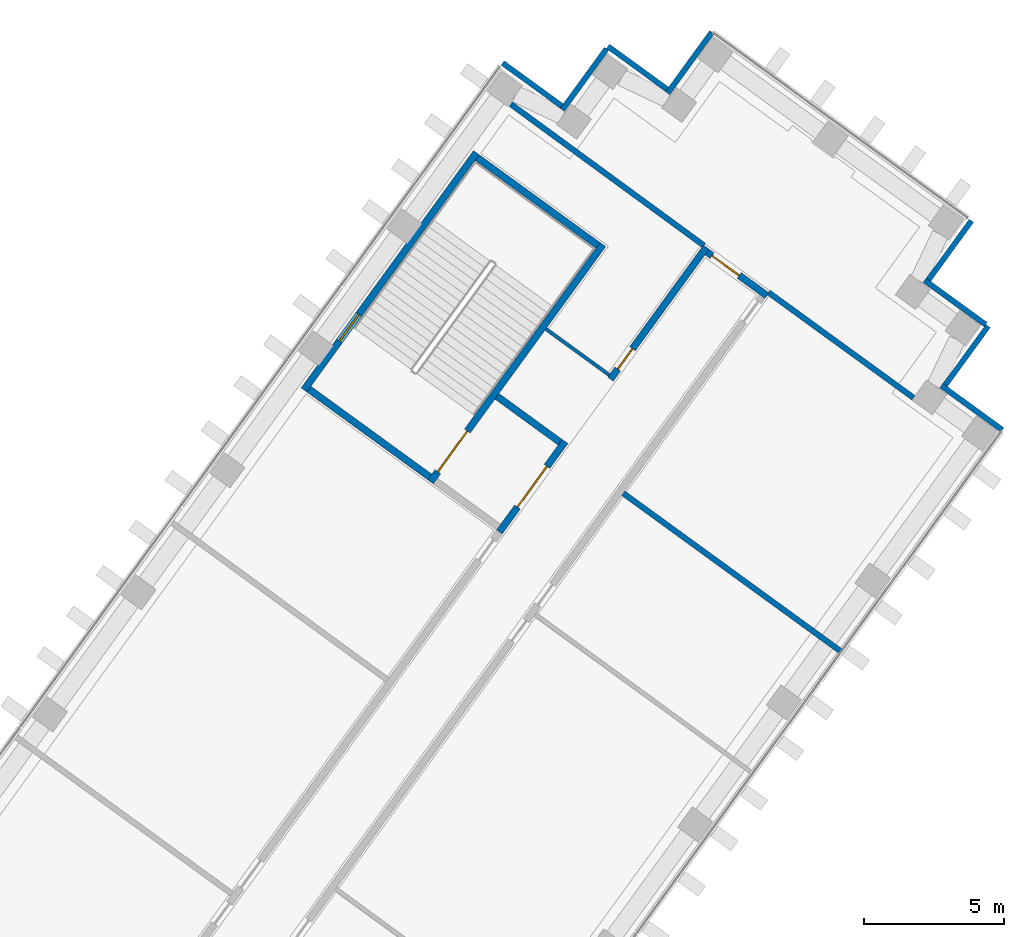
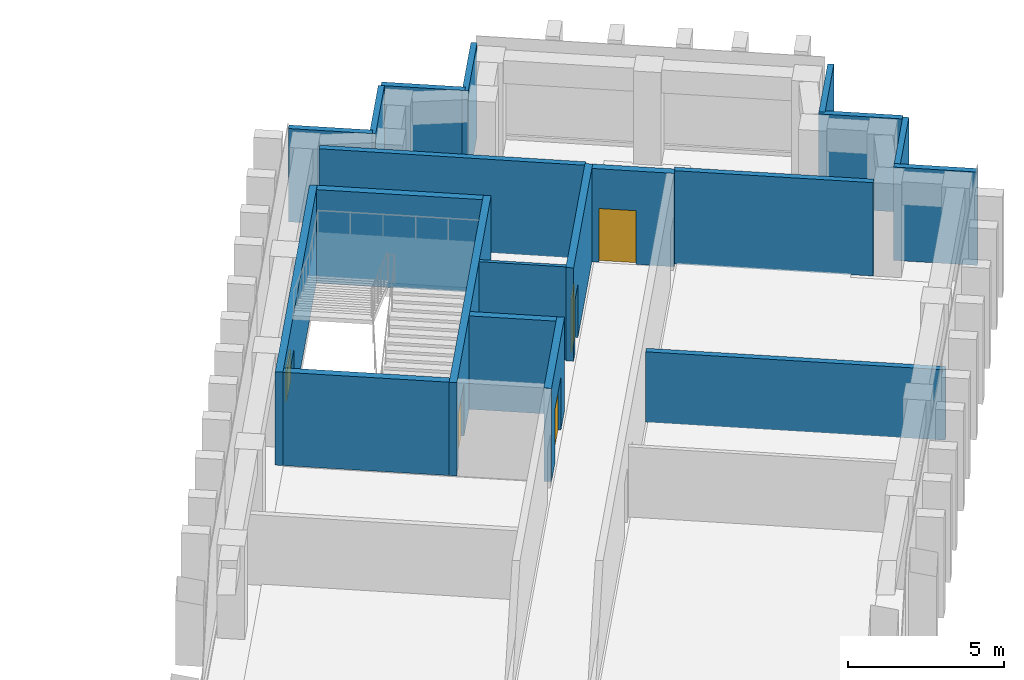
# One storey, part 12 of 16: 20 walls, 4 doors, 1 window, 5 openings.
"""IFC4 building model written with IfcOpenShell, lengths in metres."""

from ifc_helpers import new_model, si_unit, direction, frame, frame_2d, origin, place, context, subcontext, project, spatial, rectangle, extrude, material, layer, layer_set, type_object, element, fill, save


model = new_model("IFC4")

# Units and contexts
model_context = context("Model", 3, precision=1e-05, world=origin(), true_north=direction((0.0, 1.0)))
body_context = subcontext(model_context, "Body", "Model", "MODEL_VIEW")
ifc_project = project(units=[si_unit("LENGTHUNIT", "METRE"), si_unit("AREAUNIT", "SQUARE_METRE"), si_unit("VOLUMEUNIT", "CUBIC_METRE"), si_unit("PLANEANGLEUNIT", "RADIAN"), si_unit("MASSUNIT", "GRAM", prefix="KILO")], contexts=[model_context])

# Site, building, storey
site_placement = place(None, origin())
site = spatial("IfcSite", under=ifc_project, at=site_placement, CompositionType="ELEMENT")
building_placement = place(site_placement, origin())
building = spatial("IfcBuilding", under=site, at=building_placement, Name="Quipu Civic Tower", CompositionType="ELEMENT")
storey_placement = place(building_placement, frame((0.0, 0.0, 51.0)))
storey = spatial("IfcBuildingStorey", under=building, at=storey_placement, Name="L11", CompositionType="ELEMENT", Elevation=51.0)

# Walls
ifc_material_1 = material(Name="Fired clay blockwork", Category="masonry")
ifc_layer_1 = layer(ifc_material_1, 0.199951171875)
ifc_layer_set_1 = layer_set([ifc_layer_1], Name="Fired clay blockwork")
wall_type_1 = type_object("IfcWallType", Name="Blockwork wall 200", PredefinedType="SOLIDWALL", material=ifc_layer_set_1)
wall_1_placement = place(storey_placement, frame((37.643310546875, 41.296875, 0.0), z_axis=(0.0, 0.0, 1.0), x_axis=(0.806949857155, -0.590619952286, 0.0)))
element("IfcWall", 1, at=wall_1_placement, inside=storey, type_object=wall_type_1, Name="Partition P01", PredefinedType="SOLIDWALL", context=body_context, shape_type="SweptSolid", body=[
    extrude(rectangle(XDim=8.5703125, YDim=0.199951171875, at=frame_2d((4.28515625, 0.0))), origin(), (0.0, 0.0, 1.0), 3.64990234375),
])
wall_2_placement = place(storey_placement, frame((46.872802734375, 34.553955078125, 0.0), z_axis=(0.0, 0.0, 1.0), x_axis=(0.808992766665, -0.58781859743, 0.0)))
element("IfcWall", 2, at=wall_2_placement, inside=storey, type_object=wall_type_1, Name="Partition P02", PredefinedType="SOLIDWALL", context=body_context, shape_type="SweptSolid", body=[
    extrude(rectangle(XDim=6.414306640625, YDim=0.199951171875, at=frame_2d((3.20703125, 0.0))), origin(), (0.0, 0.0, 1.0), 3.64990234375),
])
wall_3_placement = place(storey_placement, frame((49.47998046875, 21.689697265625, 0.0), z_axis=(0.0, 0.0, 1.0), x_axis=(-0.808999631097, 0.587809150052, 0.0)))
element("IfcWall", 3, at=wall_3_placement, inside=storey, type_object=wall_type_1, Name="Partition P07", PredefinedType="SOLIDWALL", context=body_context, shape_type="SweptSolid", body=[
    extrude(rectangle(XDim=9.6513671875, YDim=0.199951171875, at=frame_2d((4.82568359375, 0.0))), origin(), (0.0, 0.0, 1.0), 2.75),
])

# Wall, opening, door
ifc_material_2 = material(Name="Concrete C70/85", Category="concrete")
ifc_layer_2 = layer(ifc_material_2, 0.25)
ifc_layer_set_2 = layer_set([ifc_layer_2], Name="Concrete C70/85")
wall_type_2 = type_object("IfcWallType", Name="Core wall 250", PredefinedType="SHEAR", material=ifc_layer_set_2)
wall_4_placement = place(storey_placement, frame((37.237548828125, 25.979736328125, 0.0), z_axis=(0.0, 0.0, 1.0), x_axis=(0.587772420479, 0.809026317077, 0.0)))
wall_4 = element("IfcWall", 4, at=wall_4_placement, inside=storey, type_object=wall_type_2, Name="Core wall", PredefinedType="SHEAR", context=body_context, shape_type="SweptSolid", body=[
    extrude(rectangle(XDim=4.0, YDim=0.25, at=frame_2d((2.0, 0.0))), origin(), (0.0, 0.0, 1.0), 3.64990234375),
])
opening_1_placement = place(wall_4_placement, frame((1.10009765625, 0.0, 0.0)))
opening_1 = element("IfcOpeningElement", 5, at=opening_1_placement, cuts=wall_4, Name="Opening CD-20", PredefinedType="OPENING", context=body_context, shape_type="SweptSolid", body=[
    extrude(rectangle(XDim=1.800048828125, YDim=2.10009765625, at=frame_2d((0.89990234375, 1.050048828125))), frame((0.0, 0.135009765625, 0.0), z_axis=(0.0, -1.0, 0.0), x_axis=(1.0, 0.0, 0.0)), (0.0, 0.0, 1.0), 0.27001953125),
])
ifc_material_3 = material(Name="Fire rated steel door", Category="steel")
door_type_1 = type_object("IfcDoorType", Name="Fire door FD90 double 1800 x 2100", OperationType="NOTDEFINED", PredefinedType="DOOR", material=ifc_material_3)
door_1_placement = place(opening_1_placement, origin())
door_1 = element("IfcDoor", 6, at=door_1_placement, inside=storey, type_object=door_type_1, Name="Lobby door", OperationType="DOUBLE_DOOR_SINGLE_SWING", OverallHeight=2.10009765625, OverallWidth=1.800048828125, PredefinedType="DOOR", context=body_context, shape_type="SweptSolid", body=[
    extrude(rectangle(XDim=1.800048828125, YDim=2.10009765625, at=frame_2d((0.89990234375, 1.050048828125))), frame((0.0, 0.02490234375, 0.0), z_axis=(0.0, -1.0, 0.0), x_axis=(1.0, 0.0, 0.0)), (0.0, 0.0, 1.0), 0.050048828125),
])
fill(opening_1, door_1)

# Wall
wall_5_placement = place(storey_placement, frame((39.4140625, 29.18798828125, 0.0), z_axis=(0.0, 0.0, 1.0), x_axis=(-0.808969789945, 0.58785021813, 0.0)))
element("IfcWall", 7, at=wall_5_placement, inside=storey, type_object=wall_type_2, Name="Core wall", PredefinedType="SHEAR", context=body_context, shape_type="SweptSolid", body=[
    extrude(rectangle(XDim=2.800048828125, YDim=0.25, at=frame_2d((1.39990234375, 0.0))), origin(), (0.0, 0.0, 1.0), 3.64990234375),
])

# Wall, opening, door
wall_6_placement = place(storey_placement, frame((34.77001953125, 27.7724609375, 0.0), z_axis=(0.0, 0.0, 1.0), x_axis=(0.587795589702, 0.809009483706, 0.0)))
wall_6 = element("IfcWall", 8, at=wall_6_placement, inside=storey, type_object=wall_type_2, Name="Core wall", PredefinedType="SHEAR", context=body_context, shape_type="SweptSolid", body=[
    extrude(rectangle(XDim=10.5, YDim=0.25, at=frame_2d((5.25, 0.0))), origin(), (0.0, 0.0, 1.0), 3.64990234375),
])
opening_2_placement = place(wall_6_placement, frame((0.449951171875, 0.0, 0.0)))
opening_2 = element("IfcOpeningElement", 9, at=opening_2_placement, cuts=wall_6, Name="Opening CD-21", PredefinedType="OPENING", context=body_context, shape_type="SweptSolid", body=[
    extrude(rectangle(XDim=1.800048828125, YDim=2.10009765625, at=frame_2d((0.89990234375, 1.050048828125))), frame((0.0, 0.135009765625, 0.0), z_axis=(0.0, -1.0, 0.0), x_axis=(1.0, 0.0, 0.0)), (0.0, 0.0, 1.0), 0.27001953125),
])
door_2_placement = place(opening_2_placement, origin())
door_2 = element("IfcDoor", 10, at=door_2_placement, inside=storey, type_object=door_type_1, Name="Door", OperationType="DOUBLE_DOOR_SINGLE_SWING", OverallHeight=2.10009765625, OverallWidth=1.800048828125, PredefinedType="DOOR", context=body_context, shape_type="SweptSolid", body=[
    extrude(rectangle(XDim=1.800048828125, YDim=2.10009765625, at=frame_2d((0.89990234375, 1.050048828125))), frame((0.0, 0.02490234375, 0.0), z_axis=(0.0, -1.0, 0.0), x_axis=(1.0, 0.0, 0.0)), (0.0, 0.0, 1.0), 0.050048828125),
])
fill(opening_2, door_2)

# Walls
wall_7_placement = place(storey_placement, frame((34.742431640625, 27.947021484375, 0.0), z_axis=(0.0, 0.0, 1.0), x_axis=(-0.8089984606, 0.587810760999, 0.0)))
element("IfcWall", 11, at=wall_7_placement, inside=storey, type_object=wall_type_2, Name="Core wall", PredefinedType="SHEAR", context=body_context, shape_type="SweptSolid", body=[
    extrude(rectangle(XDim=5.35009765625, YDim=0.25, at=frame_2d((2.675048828125, 0.0))), origin(), (0.0, 0.0, 1.0), 3.64990234375),
])
wall_8_placement = place(storey_placement, frame((40.76708984375, 36.239501953125, 0.0), z_axis=(0.0, 0.0, 1.0), x_axis=(-0.809020161303, 0.587780893365, 0.0)))
element("IfcWall", 12, at=wall_8_placement, inside=storey, type_object=wall_type_2, Name="Core wall", PredefinedType="SHEAR", context=body_context, shape_type="SweptSolid", body=[
    extrude(rectangle(XDim=5.349853515625, YDim=0.25, at=frame_2d((2.6748046875, 0.0))), origin(), (0.0, 0.0, 1.0), 3.64990234375),
])

# Wall, opening, window
wall_9_placement = place(storey_placement, frame((30.239501953125, 31.06396484375, 0.0), z_axis=(0.0, 0.0, 1.0), x_axis=(0.587795589702, 0.809009483706, 0.0)))
wall_9 = element("IfcWall", 13, at=wall_9_placement, inside=storey, type_object=wall_type_2, Name="Core wall", PredefinedType="SHEAR", context=body_context, shape_type="SweptSolid", body=[
    extrude(rectangle(XDim=10.5, YDim=0.25, at=frame_2d((5.25, 0.0))), origin(), (0.0, 0.0, 1.0), 3.64990234375),
])
opening_3_placement = place(wall_9_placement, frame((2.14990234375, 0.0, 1.0)))
opening_3 = element("IfcOpeningElement", 14, at=opening_3_placement, cuts=wall_9, Name="Opening SV-7", PredefinedType="OPENING", context=body_context, shape_type="SweptSolid", body=[
    extrude(rectangle(XDim=1.199951171875, YDim=1.199951171875, at=frame_2d((0.60009765625, 0.60009765625))), frame((0.0, 0.135009765625, 0.0), z_axis=(0.0, -1.0, 0.0), x_axis=(1.0, 0.0, 0.0)), (0.0, 0.0, 1.0), 0.27001953125),
])
ifc_material_4 = material(Name="Aluminium louvre", Category="aluminium")
window_type = type_object("IfcWindowType", Name="Stair ventilation louvre 1200 x 1200", PartitioningType="SINGLE_PANEL", PredefinedType="WINDOW", material=ifc_material_4)
window_placement = place(opening_3_placement, origin())
window = element("IfcWindow", 15, at=window_placement, inside=storey, type_object=window_type, Name="Stair ventilation opening", OverallHeight=1.199951171875, OverallWidth=1.199951171875, PartitioningType="SINGLE_PANEL", PredefinedType="WINDOW", context=body_context, shape_type="SweptSolid", body=[
    extrude(rectangle(XDim=1.199951171875, YDim=1.199951171875, at=frame_2d((0.60009765625, 0.60009765625))), frame((0.0, 0.030029296875, 0.0), z_axis=(0.0, -1.0, 0.0), x_axis=(1.0, 0.0, 0.0)), (0.0, 0.0, 1.0), 0.06005859375),
])
fill(opening_3, window)

# Wall, opening, door
ifc_material_5 = material(Name="Concrete C50/60", Category="concrete")
ifc_layer_3 = layer(ifc_material_5, 0.25)
ifc_layer_set_3 = layer_set([ifc_layer_3], Name="Concrete C50/60")
wall_type_3 = type_object("IfcWallType", Name="Corridor wall 250 concrete", PredefinedType="SOLIDWALL", material=ifc_layer_set_3)
wall_10_placement = place(storey_placement, frame((41.213134765625, 31.451416015625, 0.0), z_axis=(0.0, 0.0, 1.0), x_axis=(0.587783636081, 0.809018168619, 0.0)))
wall_10 = element("IfcWall", 16, at=wall_10_placement, inside=storey, type_object=wall_type_3, Name="Corridor wall C07", PredefinedType="SOLIDWALL", context=body_context, shape_type="SweptSolid", body=[
    extrude(rectangle(XDim=5.836669921875, YDim=0.25, at=frame_2d((2.91845703125, 0.0))), origin(), (0.0, 0.0, 1.0), 3.64990234375),
])
opening_4_placement = place(wall_10_placement, frame((0.44140625, 0.0, 0.0)))
opening_4 = element("IfcOpeningElement", 17, at=opening_4_placement, cuts=wall_10, Name="Opening D004", PredefinedType="OPENING", context=body_context, shape_type="SweptSolid", body=[
    extrude(rectangle(XDim=0.89990234375, YDim=2.10009765625, at=frame_2d((0.449951171875, 1.050048828125))), frame((0.0, 0.135009765625, 0.0), z_axis=(0.0, -1.0, 0.0), x_axis=(1.0, 0.0, 0.0)), (0.0, 0.0, 1.0), 0.27001953125),
])
ifc_material_6 = material(Name="Fire rated timber door set with metal frame", Category="wood")
door_type_2 = type_object("IfcDoorType", Name="Single door 900 x 2100 FD60", OperationType="NOTDEFINED", PredefinedType="DOOR", material=ifc_material_6)
door_3_placement = place(opening_4_placement, origin())
door_3 = element("IfcDoor", 18, at=door_3_placement, inside=storey, type_object=door_type_2, Name="Door D004", OperationType="SINGLE_SWING_LEFT", OverallHeight=2.10009765625, OverallWidth=0.89990234375, PredefinedType="DOOR", context=body_context, shape_type="SweptSolid", body=[
    extrude(rectangle(XDim=0.89990234375, YDim=2.10009765625, at=frame_2d((0.449951171875, 1.050048828125))), frame((0.0, 0.02490234375, 0.0), z_axis=(0.0, -1.0, 0.0), x_axis=(1.0, 0.0, 0.0)), (0.0, 0.0, 1.0), 0.050048828125),
])
fill(opening_4, door_3)

wall_11_placement = place(storey_placement, frame((44.67138671875, 35.998779296875, 0.0), z_axis=(0.0, 0.0, 1.0), x_axis=(0.809006914995, -0.587799125119, 0.0)))
wall_11 = element("IfcWall", 19, at=wall_11_placement, inside=storey, type_object=wall_type_3, Name="Corridor wall C08", PredefinedType="SOLIDWALL", context=body_context, shape_type="SweptSolid", body=[
    extrude(rectangle(XDim=2.64990234375, YDim=0.25, at=frame_2d((1.324951171875, 0.0))), origin(), (0.0, 0.0, 1.0), 3.64990234375),
])
opening_5_placement = place(wall_11_placement, frame((0.224853515625, 0.0, 0.0)))
opening_5 = element("IfcOpeningElement", 20, at=opening_5_placement, cuts=wall_11, Name="Opening D010", PredefinedType="OPENING", context=body_context, shape_type="SweptSolid", body=[
    extrude(rectangle(XDim=1.199951171875, YDim=2.10009765625, at=frame_2d((0.60009765625, 1.050048828125))), frame((0.0, 0.135009765625, 0.0), z_axis=(0.0, -1.0, 0.0), x_axis=(1.0, 0.0, 0.0)), (0.0, 0.0, 1.0), 0.27001953125),
])
ifc_material_7 = material(Name="Fire rated timber door set with metal frame", Category="wood")
door_type_3 = type_object("IfcDoorType", Name="Single door 1200 x 2100 FD60", OperationType="NOTDEFINED", PredefinedType="DOOR", material=ifc_material_7)
door_4_placement = place(opening_5_placement, origin())
door_4 = element("IfcDoor", 21, at=door_4_placement, inside=storey, type_object=door_type_3, Name="Door D010", OperationType="SINGLE_SWING_LEFT", OverallHeight=2.10009765625, OverallWidth=1.199951171875, PredefinedType="DOOR", context=body_context, shape_type="SweptSolid", body=[
    extrude(rectangle(XDim=1.199951171875, YDim=2.10009765625, at=frame_2d((0.60009765625, 1.050048828125))), frame((0.0, 0.02490234375, 0.0), z_axis=(0.0, -1.0, 0.0), x_axis=(1.0, 0.0, 0.0)), (0.0, 0.0, 1.0), 0.050048828125),
])
fill(opening_5, door_4)

# Walls
ifc_material_8 = material(Name="Gypsum plasterboard on light gauge framing")
ifc_layer_4 = layer(ifc_material_8, 0.1201171875)
ifc_layer_set_4 = layer_set([ifc_layer_4], Name="Gypsum plasterboard on light gauge framing")
wall_type_4 = type_object("IfcWallType", Name="Partition 120 plasterboard", PredefinedType="PARTITIONING", material=ifc_layer_set_4)
wall_12_placement = place(storey_placement, frame((38.89990234375, 33.2451171875, 0.0), z_axis=(0.0, 0.0, 1.0), x_axis=(0.809090262332, -0.587684394381, 0.0)))
element("IfcWall", 22, at=wall_12_placement, inside=storey, type_object=wall_type_4, Name="Partition P20", PredefinedType="PARTITIONING", context=body_context, shape_type="SweptSolid", body=[
    extrude(rectangle(XDim=2.80078125, YDim=0.1201171875, at=frame_2d((1.400390625, 0.0))), origin(), (0.0, 0.0, 1.0), 3.64990234375),
])
ifc_material_9 = material(Name="Precast concrete C40/50", Category="concrete")
wall_type_5 = type_object("IfcWallType", Name="Precast cladding wall", PredefinedType="SOLIDWALL", material=ifc_material_9)
wall_13_placement = place(storey_placement, frame((55.2470703125, 29.62890625, 0.0), z_axis=(0.0, 0.0, 1.0), x_axis=(-0.809033161865, 0.587762999008, 0.0)))
element("IfcWall", 23, at=wall_13_placement, inside=storey, type_object=wall_type_5, Name="Precast cladding wall L11 P14", PredefinedType="SOLIDWALL", context=body_context, shape_type="SweptSolid", body=[
    extrude(rectangle(XDim=2.699951171875, YDim=0.199951171875, at=frame_2d((1.35009765625, 0.0))), origin(), (0.0, 0.0, 1.0), 3.64990234375),
])
wall_14_placement = place(storey_placement, frame((53.150634765625, 31.166748046875, 0.0), z_axis=(0.0, 0.0, 1.0), x_axis=(0.587779184282, 0.809021403008, 0.0)))
element("IfcWall", 24, at=wall_14_placement, inside=storey, type_object=wall_type_5, Name="Precast cladding wall L11 P15", PredefinedType="SOLIDWALL", context=body_context, shape_type="SweptSolid", body=[
    extrude(rectangle(XDim=2.7001953125, YDim=0.199951171875, at=frame_2d((1.35009765625, 0.0))), origin(), (0.0, 0.0, 1.0), 3.64990234375),
])
for number, where, z_axis, x_axis, name in (
    (25, (54.649658203125, 33.400390625, 0.0), (0.0, 0.0, 1.0), (-0.809033161865, 0.587762999008, 0.0), "Precast cladding wall L11 P16"),
    (26, (52.55322265625, 34.938232421875, 0.0), (0.0, 0.0, 1.0), (0.587822180636, 0.808990163075, 0.0), "Precast cladding wall L11 P17"),
    (27, (44.846435546875, 43.875, 0.0), (0.0, 0.0, 1.0), (-0.587822180636, -0.808990163075, 0.0), "Precast cladding wall L11 P19"),
    (28, (43.308349609375, 41.77880859375, 0.0), (0.0, 0.0, 1.0), (-0.809033161865, 0.587762999008, 0.0), "Precast cladding wall L11 P20"),
):
    element("IfcWall", number, at=place(storey_placement, frame(where, z_axis=z_axis, x_axis=x_axis)), inside=storey, type_object=wall_type_5, Name=name, PredefinedType="SOLIDWALL", context=body_context, shape_type="SweptSolid", body=[
        extrude(rectangle(XDim=2.699951171875, YDim=0.199951171875, at=frame_2d((1.35009765625, 0.0))), origin(), (0.0, 0.0, 1.0), 3.64990234375),
    ])
wall_15_placement = place(storey_placement, frame((41.074951171875, 43.277587890625, 0.0), z_axis=(0.0, 0.0, 1.0), x_axis=(-0.587806000234, -0.809001919707, 0.0)))
element("IfcWall", 29, at=wall_15_placement, inside=storey, type_object=wall_type_5, Name="Precast cladding wall L11 P21", PredefinedType="SOLIDWALL", context=body_context, shape_type="SweptSolid", body=[
    extrude(rectangle(XDim=2.69970703125, YDim=0.199951171875, at=frame_2d((1.349853515625, 0.0))), origin(), (0.0, 0.0, 1.0), 3.64990234375),
])
wall_16_placement = place(storey_placement, frame((39.537109375, 41.181396484375, 0.0), z_axis=(0.0, 0.0, 1.0), x_axis=(-0.809033161865, 0.587762999008, 0.0)))
element("IfcWall", 30, at=wall_16_placement, inside=storey, type_object=wall_type_5, Name="Precast cladding wall L11 P22", PredefinedType="SOLIDWALL", context=body_context, shape_type="SweptSolid", body=[
    extrude(rectangle(XDim=2.699951171875, YDim=0.199951171875, at=frame_2d((1.35009765625, 0.0))), origin(), (0.0, 0.0, 1.0), 3.64990234375),
])

save(model, "model.ifc")
